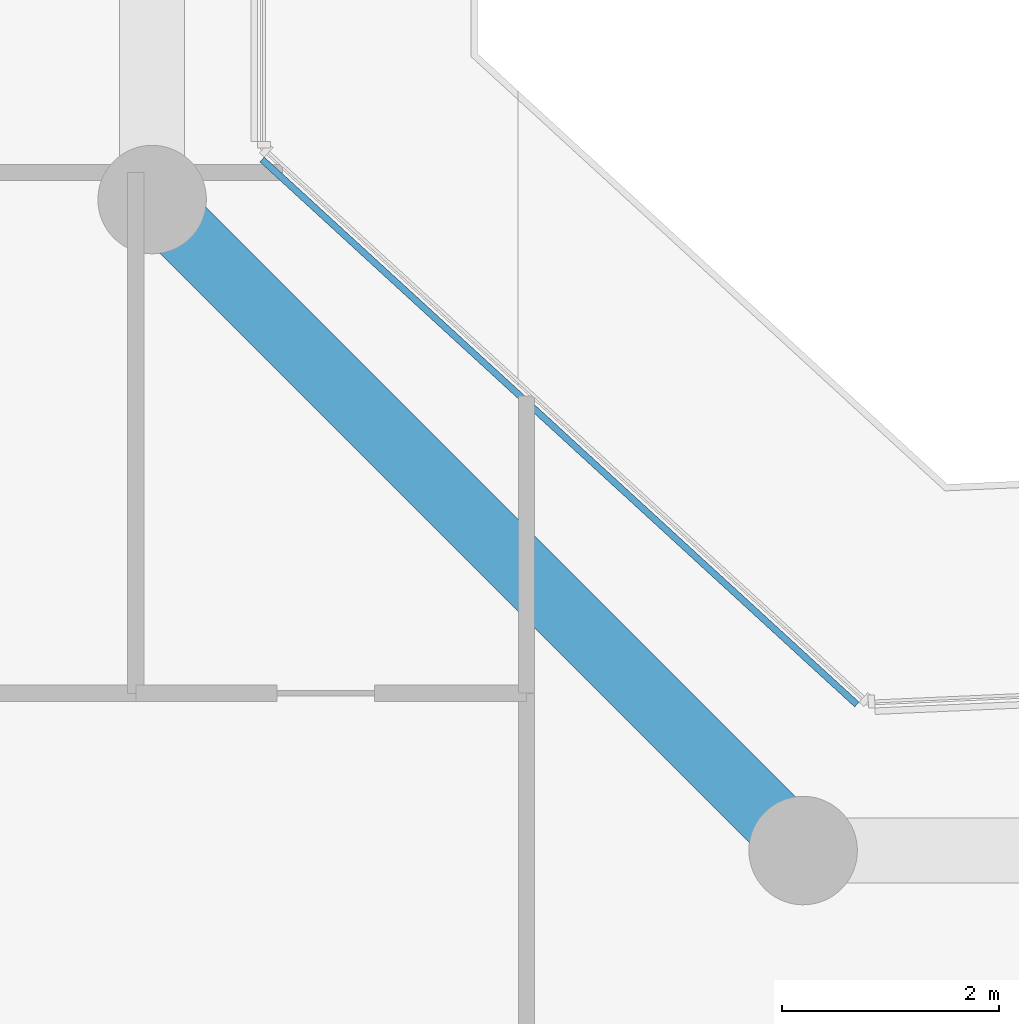
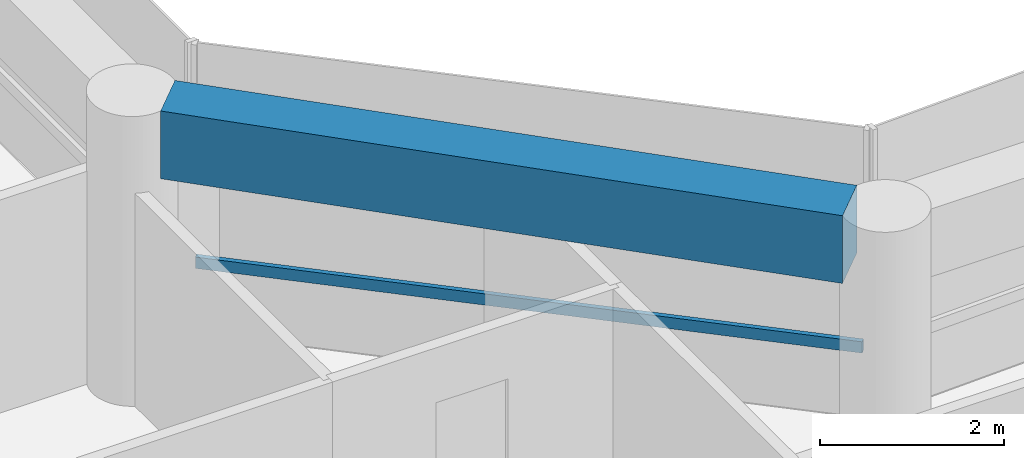
# One storey, part 5 of 24: 1 beam, 1 member, 1 element without a shape of its own.
"""IFC4 building model written with IfcOpenShell, lengths in metres."""

from ifc_helpers import new_model, si_unit, direction, frame, origin, origin_2d, place, context, subcontext, project, spatial, rectangle, extrude, material, layer, layer_set, material_profile, profile_set, type_object, element, aggregate, save


model = new_model("IFC4")

# Units and contexts
model_context = context("Model", 3, precision=1e-05, world=origin(), true_north=direction((0.0, 1.0)))
body_context = subcontext(model_context, "Body", "Model", "MODEL_VIEW")
ifc_project = project(units=[si_unit("LENGTHUNIT", "METRE"), si_unit("AREAUNIT", "SQUARE_METRE"), si_unit("VOLUMEUNIT", "CUBIC_METRE"), si_unit("PLANEANGLEUNIT", "RADIAN"), si_unit("MASSUNIT", "GRAM", prefix="KILO")], contexts=[model_context])

# Site, building, storey
site_placement = place(None, origin())
site = spatial("IfcSite", under=ifc_project, at=site_placement, CompositionType="ELEMENT")
building_placement = place(site_placement, origin())
building = spatial("IfcBuilding", under=site, at=building_placement, Name="Welwitschia Terrace Campus", CompositionType="ELEMENT")
storey_placement = place(building_placement, frame((0.0, 0.0, 100.39990234375)))
storey = spatial("IfcBuildingStorey", under=building, at=storey_placement, Name="L22", CompositionType="ELEMENT", Elevation=100.39990234375)

# Beam
ifc_material_1 = material(Name="Concrete C60/75", Category="concrete")
ifc_material_profile_1 = material_profile(ifc_material_1, rectangle(XDim=0.60009765625, YDim=0.89990234375, at=origin_2d()))
ifc_profile_set_1 = profile_set([ifc_material_profile_1], Name="Concrete C60/75")
beam_type = type_object("IfcBeamType", Name="Ring spandrel 600x900", PredefinedType="SPANDREL", material=ifc_profile_set_1)
beam_placement = place(storey_placement, frame((29.716796875, 28.283203125, 3.400146484375), z_axis=(-0.707106781187, 0.707106781187, 0.0), x_axis=(-0.707106781187, -0.707106781187, 0.0)))
element("IfcBeam", 1, at=beam_placement, inside=storey, type_object=beam_type, Name="Spandrel SP2", PredefinedType="SPANDREL", context=body_context, shape_type="SweptSolid", body=[
    extrude(rectangle(XDim=0.60009765625, YDim=0.89990234375, at=origin_2d()), origin(), (0.0, 0.0, 1.0), 7.684326171875),
])

# Curtain wall, member
ifc_material_2 = material(Name="Bronze anodised aluminium", Category="aluminium")
ifc_layer = layer(ifc_material_2, 0.1201171875)
ifc_layer_set = layer_set([ifc_layer], Name="Bronze anodised aluminium")
curtain_wall_type = type_object("IfcCurtainWallType", Name="Curtain wall CW2 tower 6000", PredefinedType="NOTDEFINED", material=ifc_layer_set)
curtain_wall_placement = place(storey_placement, origin())
curtain_wall = element("IfcCurtainWall", 2, at=curtain_wall_placement, inside=storey, type_object=curtain_wall_type, Name="CW L22.8.0", PredefinedType="NOTDEFINED")
ifc_material_3 = material(Name="Bronze anodised aluminium", Category="aluminium")
ifc_material_profile_2 = material_profile(ifc_material_3, rectangle(XDim=0.06005859375, YDim=0.14990234375, at=origin_2d()))
ifc_profile_set_2 = profile_set([ifc_material_profile_2], Name="Bronze anodised aluminium")
member_type = type_object("IfcMemberType", Name="Transom 60x150", PredefinedType="USERDEFINED", material=ifc_profile_set_2)
member_placement = place(storey_placement, frame((30.495361328125, 29.34619140625, 1.0), z_axis=(-0.737298601566, 0.675567000473, 0.0), x_axis=(-0.675567000473, -0.737298601566, 0.0)))
member = element("IfcMember", 3, at=member_placement, type_object=member_type, Name="Transom L22.8.0", ObjectType="TRANSOM", PredefinedType="USERDEFINED", context=body_context, shape_type="SweptSolid", body=[
    extrude(rectangle(XDim=0.06005859375, YDim=0.14990234375, at=origin_2d()), origin(), (0.0, 0.0, 1.0), 7.43505859375),
])
aggregate(curtain_wall, [member])

save(model, "model.ifc")
